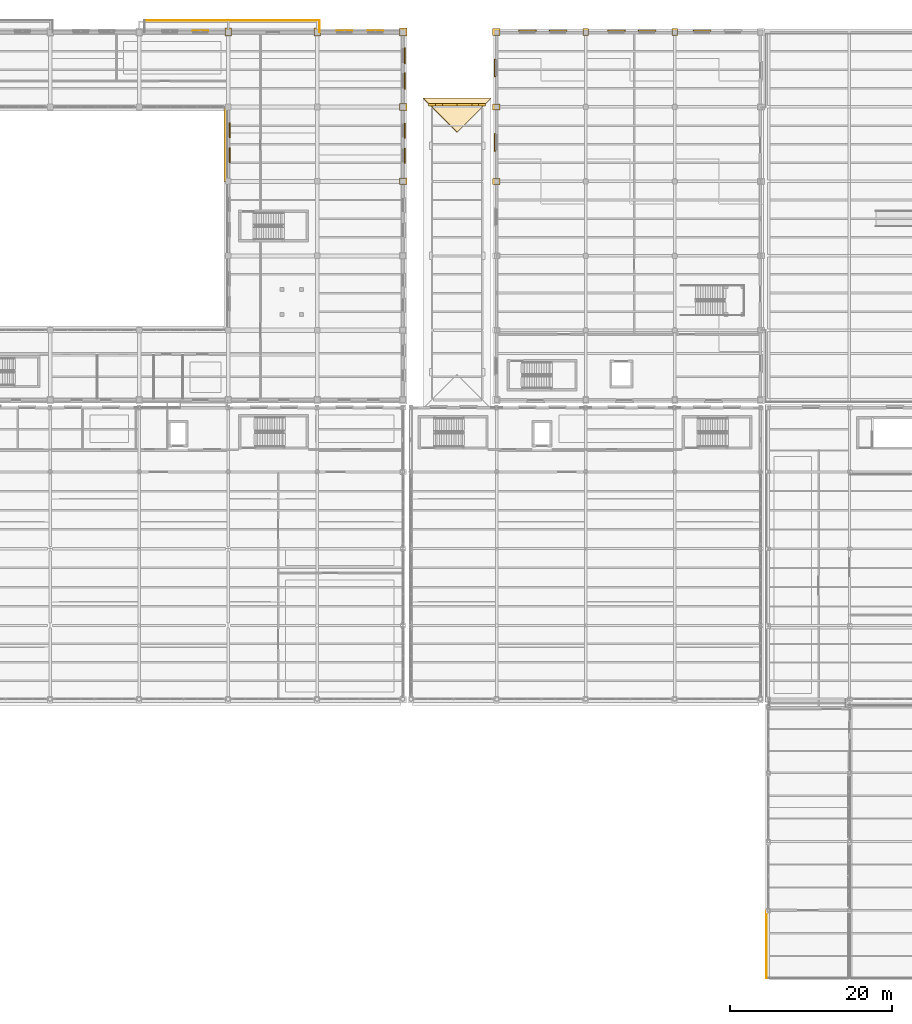
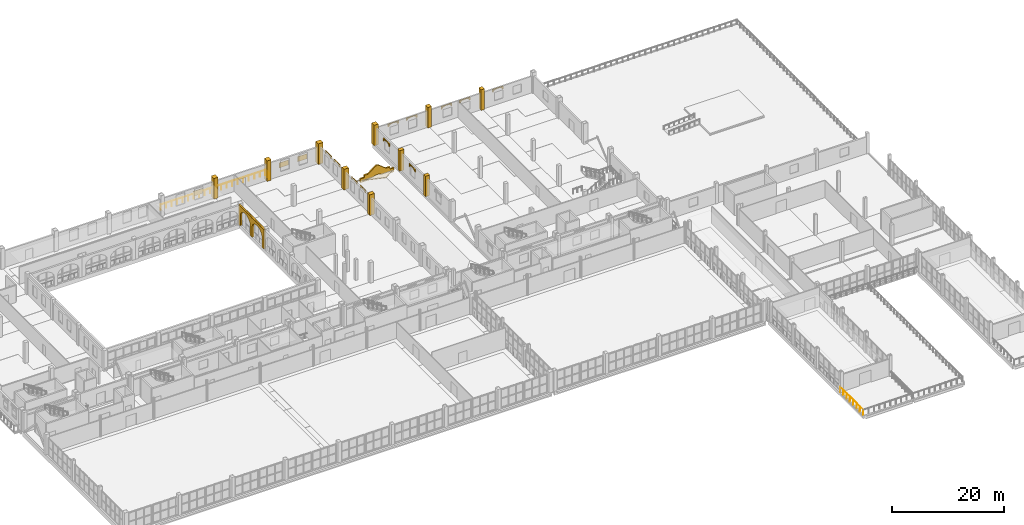
# One storey, part 149 of 156: 26 coverings, 3 railings, 3 shading devices.
"""IFC4 building model written with IfcOpenShell, lengths in metres."""

from ifc_helpers import new_model, si_unit, direction, frame, origin, origin_2d, place, context, subcontext, project, spatial, polyline, rectangle, circle, outline, extrude, material, layer, layer_set, type_object, element, save


model = new_model("IFC4")

# Units and contexts
model_context = context("Model", 3, precision=1e-05, world=origin(), true_north=direction((0.0, 1.0)))
body_context = subcontext(model_context, "Body", "Model", "MODEL_VIEW")
ifc_project = project(units=[si_unit("LENGTHUNIT", "METRE"), si_unit("AREAUNIT", "SQUARE_METRE"), si_unit("VOLUMEUNIT", "CUBIC_METRE"), si_unit("PLANEANGLEUNIT", "RADIAN"), si_unit("MASSUNIT", "GRAM", prefix="KILO")], contexts=[model_context])

# Site, building, storey
site_placement = place(None, origin())
site = spatial("IfcSite", under=ifc_project, at=site_placement, CompositionType="ELEMENT")
building_placement = place(site_placement, origin())
building = spatial("IfcBuilding", under=site, at=building_placement, Name="Caurita Quay Ferry Terminal", CompositionType="ELEMENT")
storey_placement = place(building_placement, frame((0.0, 0.0, 5.39990234375)))
storey = spatial("IfcBuildingStorey", under=building, at=storey_placement, Name="L01", CompositionType="ELEMENT", Elevation=5.39990234375)

# Coverings
ifc_material_1 = material(Name="Warm-white lime stucco masonry", Category="masonry")
ifc_layer_1 = layer(ifc_material_1, 0.360107421875, Name="Spanish Colonial semicircular lime-stucco portales arcade 360 mm")
ifc_layer_set_1 = layer_set([ifc_layer_1], Name="Warm-white lime stucco masonry")
covering_type_1 = type_object("IfcCoveringType", Name="COV-ARC-CLD", PredefinedType="CLADDING", material=ifc_layer_set_1)
covering_1_placement = place(storey_placement, frame((65.679931640625, 107.64990234375, 0.0), z_axis=(0.0, 0.0, 1.0), x_axis=(0.0, -1.0, 0.0)))
element("IfcCovering", 1, at=covering_1_placement, inside=storey, type_object=covering_type_1, Name="L01 Courtyard East Cloister Arcade 066", PredefinedType="CLADDING", context=body_context, shape_type="SweptSolid", body=[
    extrude(outline(polyline([(0.0, 0.0), (0.64990234375, 0.0), (0.64990234375, 2.14990234375), (0.71044921875, 2.55126953125), (0.8876953125, 2.925048828125), (1.169921875, 3.24609375), (1.537353515625, 3.492431640625), (1.965576171875, 3.647216796875), (2.425048828125, 3.699951171875), (2.88427734375, 3.647216796875), (3.3125, 3.492431640625), (3.679931640625, 3.24609375), (3.962158203125, 2.925048828125), (4.139404296875, 2.55126953125), (4.199951171875, 2.14990234375), (4.199951171875, 0.0), (4.849853515625, 0.0), (4.849853515625, 2.14990234375), (4.910400390625, 2.55126953125), (5.087646484375, 2.925048828125), (5.369873046875, 3.24609375), (5.7373046875, 3.492431640625), (6.16552734375, 3.647216796875), (6.624755859375, 3.699951171875), (7.084228515625, 3.647216796875), (7.51220703125, 3.492431640625), (7.8798828125, 3.24609375), (8.162109375, 2.925048828125), (8.33935546875, 2.55126953125), (8.39990234375, 2.14990234375), (8.39990234375, 0.0), (9.0498046875, 0.0), (9.0498046875, 4.300048828125), (0.0, 4.300048828125), (0.0, 0.0)])), frame((0.0, 0.18017578125, 0.0), z_axis=(0.0, -1.0, 0.0), x_axis=(1.0, 0.0, 0.0)), (0.0, 0.0, 1.0), 0.360107421875),
])
ifc_layer_2 = layer(ifc_material_1, 0.280029296875, Name="Shaped Spanish Colonial espadana mission parapet gable 280 mm")
ifc_layer_set_2 = layer_set([ifc_layer_2], Name="Warm-white lime stucco masonry")
covering_type_2 = type_object("IfcCoveringType", Name="COV-ESP-MLD", PredefinedType="MOLDING", material=ifc_layer_set_2)
covering_2_placement = place(storey_placement, frame((97.800048828125, 108.050048828125, -0.0498046875), z_axis=(0.0, 0.0, 1.0), x_axis=(-1.0, 0.0, 0.0)))
element("IfcCovering", 2, at=covering_2_placement, inside=storey, type_object=covering_type_2, Name="Forecourt Portico Espadana Entry Gable 071", PredefinedType="MOLDING", context=body_context, shape_type="SweptSolid", body=[
    extrude(outline(polyline([(0.0, 0.0), (2.550048828125, 0.0), (2.550048828125, 0.199951171875), (2.582275390625, 0.31640625), (2.67724609375, 0.425048828125), (2.828369140625, 0.518310546875), (3.02490234375, 0.589599609375), (3.254150390625, 0.634765625), (3.5, 0.64990234375), (3.745849609375, 0.634765625), (3.97509765625, 0.589599609375), (4.171630859375, 0.518310546875), (4.32275390625, 0.425048828125), (4.417724609375, 0.31640625), (4.449951171875, 0.199951171875), (4.449951171875, 0.0), (7.0, 0.0), (7.0, 0.89990234375), (6.159912109375, 0.89990234375), (6.159912109375, 1.3798828125), (5.320068359375, 1.3798828125), (4.760009765625, 1.81982421875), (4.199951171875, 2.27978515625), (3.780029296875, 2.579833984375), (3.5, 2.679931640625), (3.219970703125, 2.579833984375), (2.800048828125, 2.27978515625), (2.239990234375, 1.81982421875), (1.679931640625, 1.3798828125), (0.840087890625, 1.3798828125), (0.840087890625, 0.89990234375), (0.0, 0.89990234375), (0.0, 0.0)])), frame((0.0, 0.16015625, 0.0), z_axis=(0.0, -1.0, 0.0), x_axis=(1.0, 0.0, 0.0)), (0.0, 0.0, 1.0), 0.320068359375),
])
ifc_layer_3 = layer(ifc_material_1, 0.179931640625, Name="Classical engaged lime-stucco facade pilaster cladding 180 mm")
ifc_layer_set_3 = layer_set([ifc_layer_3], Name="Warm-white lime stucco masonry")
covering_type_3 = type_object("IfcCoveringType", Name="COV-PIL-CLD", PredefinedType="CLADDING", material=ifc_layer_set_3)
for number, where, z_axis, x_axis, name in (
    (3, (99.14990234375, 98.60009765625, 0.0), (0.0, 0.0, 1.0), (1.0, 0.0, 0.0), "L01 Classical Engaged Pilaster 0215"),
    (4, (99.14990234375, 107.800048828125, 0.0), (0.0, 0.0, 1.0), (1.0, 0.0, 0.0), "L01 Classical Engaged Pilaster 0217"),
):
    element("IfcCovering", number, at=place(storey_placement, frame(where, z_axis=z_axis, x_axis=x_axis)), inside=storey, type_object=covering_type_3, Name=name, PredefinedType="CLADDING", context=body_context, shape_type="SweptSolid", body=[
        extrude(rectangle(XDim=0.8798828125, YDim=0.719970703125, at=origin_2d()), origin(), (0.0, 0.0, 1.0), 4.5),
    ])
covering_3_placement = place(storey_placement, frame((99.14990234375, 117.050048828125, 0.0), z_axis=(0.0, 0.0, 1.0), x_axis=(1.0, 0.0, 0.0)))
element("IfcCovering", 5, at=covering_3_placement, inside=storey, type_object=covering_type_3, Name="L01 Classical Engaged Pilaster 0219", PredefinedType="CLADDING", context=body_context, shape_type="SweptSolid", body=[
    extrude(rectangle(XDim=0.8798828125, YDim=0.8798828125, at=origin_2d()), origin(), (0.0, 0.0, 1.0), 4.5),
])
for number, where, z_axis, x_axis, name in (
    (6, (110.199951171875, 117.050048828125, 0.0), (0.0, 0.0, 1.0), (1.0, 0.0, 0.0), "L01 Classical Engaged Pilaster 0223"),
    (7, (121.199951171875, 117.050048828125, 0.0), (0.0, 0.0, 1.0), (1.0, 0.0, 0.0), "L01 Classical Engaged Pilaster 0227"),
):
    element("IfcCovering", number, at=place(storey_placement, frame(where, z_axis=z_axis, x_axis=x_axis)), inside=storey, type_object=covering_type_3, Name=name, PredefinedType="CLADDING", context=body_context, shape_type="SweptSolid", body=[
        extrude(rectangle(XDim=0.719970703125, YDim=0.8798828125, at=origin_2d()), origin(), (0.0, 0.0, 1.0), 4.5),
    ])
for number, where, z_axis, x_axis, name in (
    (8, (66.0, 117.050048828125, 0.0), (0.0, 0.0, 1.0), (1.0, 0.0, 0.0), "L01 Classical Engaged Pilaster 0381"),
    (9, (77.0, 117.050048828125, 0.0), (0.0, 0.0, 1.0), (1.0, 0.0, 0.0), "L01 Classical Engaged Pilaster 0392"),
):
    element("IfcCovering", number, at=place(storey_placement, frame(where, z_axis=z_axis, x_axis=x_axis)), inside=storey, type_object=covering_type_3, Name=name, PredefinedType="CLADDING", context=body_context, shape_type="SweptSolid", body=[
        extrude(rectangle(XDim=0.820068359375, YDim=0.97998046875, at=origin_2d()), origin(), (0.0, 0.0, 1.0), 4.5),
    ])
for number, where, z_axis, x_axis, name in (
    (10, (87.64990234375, 98.60009765625, 0.0), (0.0, 0.0, 1.0), (1.0, 0.0, 0.0), "L01 Classical Engaged Pilaster 0401"),
    (11, (87.64990234375, 107.800048828125, 0.0), (0.0, 0.0, 1.0), (1.0, 0.0, 0.0), "L01 Classical Engaged Pilaster 0403"),
):
    element("IfcCovering", number, at=place(storey_placement, frame(where, z_axis=z_axis, x_axis=x_axis)), inside=storey, type_object=covering_type_3, Name=name, PredefinedType="CLADDING", context=body_context, shape_type="SweptSolid", body=[
        extrude(rectangle(XDim=0.97998046875, YDim=0.820068359375, at=origin_2d()), origin(), (0.0, 0.0, 1.0), 4.5),
    ])
covering_4_placement = place(storey_placement, frame((87.64990234375, 117.050048828125, 0.0), z_axis=(0.0, 0.0, 1.0), x_axis=(1.0, 0.0, 0.0)))
element("IfcCovering", 12, at=covering_4_placement, inside=storey, type_object=covering_type_3, Name="L01 Classical Engaged Pilaster 0405", PredefinedType="CLADDING", context=body_context, shape_type="SweptSolid", body=[
    extrude(rectangle(XDim=0.97998046875, YDim=0.97998046875, at=origin_2d()), origin(), (0.0, 0.0, 1.0), 4.5),
])
ifc_material_2 = material(Name="Terracotta clay barrel tile", Category="masonry")
ifc_layer_4 = layer(ifc_material_2, 0.06494140625, Name="Terracotta clay barrel-tile roofing course")
ifc_layer_set_4 = layer_set([ifc_layer_4], Name="Terracotta clay barrel tile")
covering_type_4 = type_object("IfcCoveringType", Name="COV-TEJA-ROOF", PredefinedType="ROOFING", material=ifc_layer_set_4)
covering_5_placement = place(storey_placement, frame((98.5, 108.89990234375, -0.139892578125), z_axis=(0.0, 0.417540247903, 0.908658429434), x_axis=(-1.0, 0.0, 0.0)))
element("IfcCovering", 13, at=covering_5_placement, inside=storey, type_object=covering_type_4, Name="Terracotta Roof Timber Decking PORTICO-N", PredefinedType="ROOFING", context=body_context, shape_type="SweptSolid", body=[
    extrude(outline(polyline([(0.0, 0.0), (8.39990234375, 0.0), (4.199951171875, 4.622145171196994), (0.0, 0.0)])), origin(), (0.0, 0.0, -1.0), 0.054931640625),
])
ifc_material_3 = material(Name="Coral stone ashlar cladding", Category="masonry")
ifc_layer_5 = layer(ifc_material_3, 0.139892578125, Name="Spanish Colonial semicircular arched window surround 140 mm")
ifc_layer_set_5 = layer_set([ifc_layer_5], Name="Coral stone ashlar cladding")
covering_type_5 = type_object("IfcCoveringType", Name="COV-WHD-MLD", PredefinedType="MOLDING", material=ifc_layer_set_5)
covering_6_placement = place(storey_placement, frame((87.81494140625, 100.820068359375, 3.18017578125), z_axis=(0.0, 0.0, 1.0), x_axis=(0.0, 1.0, 0.0)))
element("IfcCovering", 14, at=covering_6_placement, inside=storey, type_object=covering_type_5, Name="L01 Arched Window Surround 087", PredefinedType="MOLDING", context=body_context, shape_type="SweptSolid", body=[
    extrude(outline(polyline([(0.0, 0.0), (0.159912109375, 0.0), (0.159912109375, 0.0400390625), (0.19775390625, 0.1513671875), (0.30712890625, 0.251708984375), (0.477294921875, 0.331298828125), (0.69189453125, 0.38232421875), (0.929931640625, 0.39990234375), (1.16796875, 0.38232421875), (1.382568359375, 0.331298828125), (1.552734375, 0.251708984375), (1.662109375, 0.1513671875), (1.699951171875, 0.0400390625), (1.699951171875, 0.0), (1.85986328125, 0.0), (1.85986328125, 0.47998046875), (0.0, 0.47998046875), (0.0, 0.0)])), frame((0.0, 0.06982421875, 0.0), z_axis=(0.0, -1.0, 0.0), x_axis=(1.0, 0.0, 0.0)), (0.0, 0.0, 1.0), 0.139892578125),
])
covering_7_placement = place(storey_placement, frame((87.81494140625, 103.919921875, 3.18017578125), z_axis=(0.0, 0.0, 1.0), x_axis=(0.0, 1.0, 0.0)))
element("IfcCovering", 15, at=covering_7_placement, inside=storey, type_object=covering_type_5, Name="L01 Arched Window Surround 088", PredefinedType="MOLDING", context=body_context, shape_type="SweptSolid", body=[
    extrude(outline(polyline([(0.0, 0.0), (0.159912109375, 0.0), (0.159912109375, 0.0400390625), (0.19775390625, 0.1513671875), (0.30712890625, 0.251708984375), (0.4775390625, 0.331298828125), (0.692138671875, 0.38232421875), (0.929931640625, 0.39990234375), (1.16796875, 0.38232421875), (1.382568359375, 0.331298828125), (1.552978515625, 0.251708984375), (1.662353515625, 0.1513671875), (1.7001953125, 0.0400390625), (1.7001953125, 0.0), (1.860107421875, 0.0), (1.860107421875, 0.47998046875), (0.0, 0.47998046875), (0.0, 0.0)])), frame((0.0, 0.06982421875, 0.0), z_axis=(0.0, -1.0, 0.0), x_axis=(1.0, 0.0, 0.0)), (0.0, 0.0, 1.0), 0.139892578125),
])
covering_8_placement = place(storey_placement, frame((87.81494140625, 110.02001953125, 3.18017578125), z_axis=(0.0, 0.0, 1.0), x_axis=(0.0, 1.0, 0.0)))
element("IfcCovering", 16, at=covering_8_placement, inside=storey, type_object=covering_type_5, Name="L01 Arched Window Surround 089", PredefinedType="MOLDING", context=body_context, shape_type="SweptSolid", body=[
    extrude(outline(polyline([(0.0, 0.0), (0.159912109375, 0.0), (0.159912109375, 0.0400390625), (0.201416015625, 0.166015625), (0.3212890625, 0.27978515625), (0.50830078125, 0.3701171875), (0.743896484375, 0.427978515625), (1.0048828125, 0.447998046875), (1.26611328125, 0.427978515625), (1.501708984375, 0.3701171875), (1.688720703125, 0.27978515625), (1.80859375, 0.166015625), (1.85009765625, 0.0400390625), (1.85009765625, 0.0), (2.010009765625, 0.0), (2.010009765625, 0.52783203125), (0.0, 0.52783203125), (0.0, 0.0)])), frame((0.0, 0.06982421875, 0.0), z_axis=(0.0, -1.0, 0.0), x_axis=(1.0, 0.0, 0.0)), (0.0, 0.0, 1.0), 0.139892578125),
])
covering_9_placement = place(storey_placement, frame((87.81494140625, 113.1201171875, 3.18017578125), z_axis=(0.0, 0.0, 1.0), x_axis=(0.0, 1.0, 0.0)))
element("IfcCovering", 17, at=covering_9_placement, inside=storey, type_object=covering_type_5, Name="L01 Arched Window Surround 090", PredefinedType="MOLDING", context=body_context, shape_type="SweptSolid", body=[
    extrude(outline(polyline([(0.0, 0.0), (0.159912109375, 0.0), (0.159912109375, 0.0400390625), (0.201416015625, 0.166015625), (0.3212890625, 0.27978515625), (0.50830078125, 0.3701171875), (0.743896484375, 0.427978515625), (1.0048828125, 0.447998046875), (1.265869140625, 0.427978515625), (1.50146484375, 0.3701171875), (1.6884765625, 0.27978515625), (1.808349609375, 0.166015625), (1.849853515625, 0.0400390625), (1.849853515625, 0.0), (2.009765625, 0.0), (2.009765625, 0.52783203125), (0.0, 0.52783203125), (0.0, 0.0)])), frame((0.0, 0.06982421875, 0.0), z_axis=(0.0, -1.0, 0.0), x_axis=(1.0, 0.0, 0.0)), (0.0, 0.0, 1.0), 0.139892578125),
])
covering_10_placement = place(storey_placement, frame((66.215087890625, 100.919921875, 3.18017578125), z_axis=(0.0, 0.0, 1.0), x_axis=(0.0, 1.0, 0.0)))
element("IfcCovering", 18, at=covering_10_placement, inside=storey, type_object=covering_type_5, Name="L01 Arched Window Surround 115", PredefinedType="MOLDING", context=body_context, shape_type="SweptSolid", body=[
    extrude(outline(polyline([(0.0, 0.0), (0.159912109375, 0.0), (0.159912109375, 0.0400390625), (0.19775390625, 0.1513671875), (0.30712890625, 0.251708984375), (0.4775390625, 0.331298828125), (0.692138671875, 0.38232421875), (0.929931640625, 0.39990234375), (1.16796875, 0.38232421875), (1.382568359375, 0.331298828125), (1.552978515625, 0.251708984375), (1.662353515625, 0.1513671875), (1.7001953125, 0.0400390625), (1.7001953125, 0.0), (1.860107421875, 0.0), (1.860107421875, 0.47998046875), (0.0, 0.47998046875), (0.0, 0.0)])), frame((0.0, 0.06982421875, 0.0), z_axis=(0.0, -1.0, 0.0), x_axis=(1.0, 0.0, 0.0)), (0.0, 0.0, 1.0), 0.139892578125),
])
covering_11_placement = place(storey_placement, frame((66.215087890625, 104.02001953125, 3.18017578125), z_axis=(0.0, 0.0, 1.0), x_axis=(0.0, 1.0, 0.0)))
element("IfcCovering", 19, at=covering_11_placement, inside=storey, type_object=covering_type_5, Name="L01 Arched Window Surround 116", PredefinedType="MOLDING", context=body_context, shape_type="SweptSolid", body=[
    extrude(outline(polyline([(0.0, 0.0), (0.159912109375, 0.0), (0.159912109375, 0.0400390625), (0.19775390625, 0.1513671875), (0.30712890625, 0.251708984375), (0.477294921875, 0.331298828125), (0.69189453125, 0.38232421875), (0.929931640625, 0.39990234375), (1.16796875, 0.38232421875), (1.382568359375, 0.331298828125), (1.552734375, 0.251708984375), (1.662109375, 0.1513671875), (1.699951171875, 0.0400390625), (1.699951171875, 0.0), (1.85986328125, 0.0), (1.85986328125, 0.47998046875), (0.0, 0.47998046875), (0.0, 0.0)])), frame((0.0, 0.06982421875, 0.0), z_axis=(0.0, -1.0, 0.0), x_axis=(1.0, 0.0, 0.0)), (0.0, 0.0, 1.0), 0.139892578125),
])
covering_12_placement = place(storey_placement, frame((107.8798828125, 117.215087890625, 2.72998046875), z_axis=(0.0, 0.0, 1.0), x_axis=(-1.0, 0.0, 0.0)))
element("IfcCovering", 20, at=covering_12_placement, inside=storey, type_object=covering_type_5, Name="L01 Arched Window Surround 189", PredefinedType="MOLDING", context=body_context, shape_type="SweptSolid", body=[
    extrude(outline(polyline([(0.0, 0.0), (0.159912109375, 0.0), (0.159912109375, 0.0400390625), (0.205078125, 0.1728515625), (0.335693359375, 0.292724609375), (0.539306640625, 0.387939453125), (0.795654296875, 0.448974609375), (1.080078125, 0.469970703125), (1.3642578125, 0.448974609375), (1.62060546875, 0.387939453125), (1.82421875, 0.292724609375), (1.954833984375, 0.1728515625), (2.0, 0.0400390625), (2.0, 0.0), (2.159912109375, 0.0), (2.159912109375, 0.550048828125), (0.0, 0.550048828125), (0.0, 0.0)])), frame((0.0, 0.06982421875, 0.0), z_axis=(0.0, -1.0, 0.0), x_axis=(1.0, 0.0, 0.0)), (0.0, 0.0, 1.0), 0.139892578125),
])
covering_13_placement = place(storey_placement, frame((104.080078125, 117.215087890625, 2.72998046875), z_axis=(0.0, 0.0, 1.0), x_axis=(-1.0, 0.0, 0.0)))
element("IfcCovering", 21, at=covering_13_placement, inside=storey, type_object=covering_type_5, Name="L01 Arched Window Surround 190", PredefinedType="MOLDING", context=body_context, shape_type="SweptSolid", body=[
    extrude(outline(polyline([(0.0, 0.0), (0.159912109375, 0.0), (0.159912109375, 0.0400390625), (0.205078125, 0.1728515625), (0.335693359375, 0.292724609375), (0.539306640625, 0.387939453125), (0.795654296875, 0.448974609375), (1.080078125, 0.469970703125), (1.364501953125, 0.448974609375), (1.620849609375, 0.387939453125), (1.824462890625, 0.292724609375), (1.955078125, 0.1728515625), (2.000244140625, 0.0400390625), (2.000244140625, 0.0), (2.16015625, 0.0), (2.16015625, 0.550048828125), (0.0, 0.550048828125), (0.0, 0.0)])), frame((0.0, 0.06982421875, 0.0), z_axis=(0.0, -1.0, 0.0), x_axis=(1.0, 0.0, 0.0)), (0.0, 0.0, 1.0), 0.139892578125),
])
covering_14_placement = place(storey_placement, frame((118.8798828125, 117.215087890625, 2.72998046875), z_axis=(0.0, 0.0, 1.0), x_axis=(-1.0, 0.0, 0.0)))
element("IfcCovering", 22, at=covering_14_placement, inside=storey, type_object=covering_type_5, Name="L01 Arched Window Surround 192", PredefinedType="MOLDING", context=body_context, shape_type="SweptSolid", body=[
    extrude(outline(polyline([(0.0, 0.0), (0.159912109375, 0.0), (0.159912109375, 0.0400390625), (0.205078125, 0.1728515625), (0.335693359375, 0.292724609375), (0.539306640625, 0.387939453125), (0.795654296875, 0.448974609375), (1.080078125, 0.469970703125), (1.3642578125, 0.448974609375), (1.62060546875, 0.387939453125), (1.82421875, 0.292724609375), (1.954833984375, 0.1728515625), (2.0, 0.0400390625), (2.0, 0.0), (2.159912109375, 0.0), (2.159912109375, 0.550048828125), (0.0, 0.550048828125), (0.0, 0.0)])), frame((0.0, 0.06982421875, 0.0), z_axis=(0.0, -1.0, 0.0), x_axis=(1.0, 0.0, 0.0)), (0.0, 0.0, 1.0), 0.139892578125),
])
covering_15_placement = place(storey_placement, frame((115.080078125, 117.215087890625, 2.72998046875), z_axis=(0.0, 0.0, 1.0), x_axis=(-1.0, 0.0, 0.0)))
element("IfcCovering", 23, at=covering_15_placement, inside=storey, type_object=covering_type_5, Name="L01 Arched Window Surround 193", PredefinedType="MOLDING", context=body_context, shape_type="SweptSolid", body=[
    extrude(outline(polyline([(0.0, 0.0), (0.159912109375, 0.0), (0.159912109375, 0.0400390625), (0.205078125, 0.1728515625), (0.335693359375, 0.292724609375), (0.539306640625, 0.387939453125), (0.795654296875, 0.448974609375), (1.080078125, 0.469970703125), (1.364501953125, 0.448974609375), (1.620849609375, 0.387939453125), (1.824462890625, 0.292724609375), (1.955078125, 0.1728515625), (2.000244140625, 0.0400390625), (2.000244140625, 0.0), (2.16015625, 0.0), (2.16015625, 0.550048828125), (0.0, 0.550048828125), (0.0, 0.0)])), frame((0.0, 0.06982421875, 0.0), z_axis=(0.0, -1.0, 0.0), x_axis=(1.0, 0.0, 0.0)), (0.0, 0.0, 1.0), 0.139892578125),
])
for number, where, z_axis, x_axis, name in (
    (24, (125.679931640625, 117.215087890625, 2.72998046875), (0.0, 0.0, 1.0), (-1.0, 0.0, 0.0), "L01 Arched Window Surround 196"),
    (25, (98.985107421875, 104.47998046875, 2.880126953125), (0.0, 0.0, 1.0), (0.0, -1.0, 0.0), "L01 Arched Window Surround 208"),
    (26, (98.985107421875, 113.679931640625, 2.880126953125), (0.0, 0.0, 1.0), (0.0, -1.0, 0.0), "L01 Arched Window Surround 209"),
):
    element("IfcCovering", number, at=place(storey_placement, frame(where, z_axis=z_axis, x_axis=x_axis)), inside=storey, type_object=covering_type_5, Name=name, PredefinedType="MOLDING", context=body_context, shape_type="SweptSolid", body=[
        extrude(outline(polyline([(0.0, 0.0), (0.159912109375, 0.0), (0.159912109375, 0.0400390625), (0.205078125, 0.1728515625), (0.335693359375, 0.292724609375), (0.539306640625, 0.387939453125), (0.795654296875, 0.448974609375), (1.080078125, 0.469970703125), (1.3642578125, 0.448974609375), (1.62060546875, 0.387939453125), (1.82421875, 0.292724609375), (1.954833984375, 0.1728515625), (2.0, 0.0400390625), (2.0, 0.0), (2.159912109375, 0.0), (2.159912109375, 0.550048828125), (0.0, 0.550048828125), (0.0, 0.0)])), frame((0.0, 0.06982421875, 0.0), z_axis=(0.0, -1.0, 0.0), x_axis=(1.0, 0.0, 0.0)), (0.0, 0.0, 1.0), 0.139892578125),
    ])

# Railings
ifc_material_4 = material(Name="Bronze architectural metalwork", Category="metal")
railing_type = type_object("IfcRailingType", Name="RL-REJA-115", PredefinedType="BALUSTRADE", material=ifc_material_4)
railing_1_placement = place(storey_placement, frame((132.550048828125, 8.449951171875, 0.0)))
element("IfcRailing", 27, at=railing_1_placement, inside=storey, type_object=railing_type, Name="Berth 1 Observation Deck Balustrade (022)", PredefinedType="BALUSTRADE", context=body_context, shape_type="SweptSolid", body=[
    extrude(circle(Radius=0.02392578125, at=origin_2d()), frame((0.0, 0.0, 1.1259765625), z_axis=(0.0, -1.0, 0.0), x_axis=(1.0, 0.0, 0.0)), (0.0, 0.0, 1.0), 8.300048828125),
    extrude(circle(Radius=0.02099609375, at=origin_2d()), origin(), (0.0, 0.0, 1.0), 1.101806640625),
    extrude(circle(Radius=0.02099609375, at=origin_2d()), frame((0.0, -1.185791015625, 0.0)), (0.0, 0.0, 1.0), 1.101806640625),
    extrude(circle(Radius=0.02099609375, at=origin_2d()), frame((0.0, -2.371337890625, 0.0)), (0.0, 0.0, 1.0), 1.101806640625),
    extrude(circle(Radius=0.02099609375, at=origin_2d()), frame((0.0, -3.55712890625, 0.0)), (0.0, 0.0, 1.0), 1.101806640625),
    extrude(circle(Radius=0.02099609375, at=origin_2d()), frame((0.0, -4.742919921875, 0.0)), (0.0, 0.0, 1.0), 1.101806640625),
    extrude(circle(Radius=0.02099609375, at=origin_2d()), frame((0.0, -5.9287109375, 0.0)), (0.0, 0.0, 1.0), 1.101806640625),
    extrude(circle(Radius=0.02099609375, at=origin_2d()), frame((0.0, -7.1142578125, 0.0)), (0.0, 0.0, 1.0), 1.101806640625),
    extrude(circle(Radius=0.02099609375, at=origin_2d()), frame((0.0, -8.300048828125, 0.0)), (0.0, 0.0, 1.0), 1.101806640625),
])
railing_2_placement = place(storey_placement, frame((55.679931640625, 118.47998046875, 0.0)))
element("IfcRailing", 28, at=railing_2_placement, inside=storey, type_object=railing_type, Name="L01 North Street East Portales Balcony Balustrade (117)", PredefinedType="BALUSTRADE", context=body_context, shape_type="SweptSolid", body=[
    extrude(circle(Radius=0.02392578125, at=origin_2d()), frame((0.0, 0.0, 1.1259765625), z_axis=(1.0, 0.0, 0.0), x_axis=(0.0, 1.0, 0.0)), (0.0, 0.0, 1.0), 21.64013671875),
    extrude(circle(Radius=0.02099609375, at=origin_2d()), origin(), (0.0, 0.0, 1.0), 1.101806640625),
    extrude(circle(Radius=0.02099609375, at=origin_2d()), frame((1.138916015625, 0.0, 0.0)), (0.0, 0.0, 1.0), 1.101806640625),
    extrude(circle(Radius=0.02099609375, at=origin_2d()), frame((2.27783203125, 0.0, 0.0)), (0.0, 0.0, 1.0), 1.101806640625),
    extrude(circle(Radius=0.02099609375, at=origin_2d()), frame((3.416748046875, 0.0, 0.0)), (0.0, 0.0, 1.0), 1.101806640625),
    extrude(circle(Radius=0.02099609375, at=origin_2d()), frame((4.555908203125, 0.0, 0.0)), (0.0, 0.0, 1.0), 1.101806640625),
    extrude(circle(Radius=0.02099609375, at=origin_2d()), frame((5.69482421875, 0.0, 0.0)), (0.0, 0.0, 1.0), 1.101806640625),
    extrude(circle(Radius=0.02099609375, at=origin_2d()), frame((6.833740234375, 0.0, 0.0)), (0.0, 0.0, 1.0), 1.101806640625),
    extrude(circle(Radius=0.02099609375, at=origin_2d()), frame((7.97265625, 0.0, 0.0)), (0.0, 0.0, 1.0), 1.101806640625),
    extrude(circle(Radius=0.02099609375, at=origin_2d()), frame((9.111572265625, 0.0, 0.0)), (0.0, 0.0, 1.0), 1.101806640625),
    extrude(circle(Radius=0.02099609375, at=origin_2d()), frame((10.25048828125, 0.0, 0.0)), (0.0, 0.0, 1.0), 1.101806640625),
    extrude(circle(Radius=0.02099609375, at=origin_2d()), frame((11.3896484375, 0.0, 0.0)), (0.0, 0.0, 1.0), 1.101806640625),
    extrude(circle(Radius=0.02099609375, at=origin_2d()), frame((12.528564453125, 0.0, 0.0)), (0.0, 0.0, 1.0), 1.101806640625),
    extrude(circle(Radius=0.02099609375, at=origin_2d()), frame((13.66748046875, 0.0, 0.0)), (0.0, 0.0, 1.0), 1.101806640625),
    extrude(circle(Radius=0.02099609375, at=origin_2d()), frame((14.806396484375, 0.0, 0.0)), (0.0, 0.0, 1.0), 1.101806640625),
    extrude(circle(Radius=0.02099609375, at=origin_2d()), frame((15.9453125, 0.0, 0.0)), (0.0, 0.0, 1.0), 1.101806640625),
    extrude(circle(Radius=0.02099609375, at=origin_2d()), frame((17.084228515625, 0.0, 0.0)), (0.0, 0.0, 1.0), 1.101806640625),
    extrude(circle(Radius=0.02099609375, at=origin_2d()), frame((18.223388671875, 0.0, 0.0)), (0.0, 0.0, 1.0), 1.101806640625),
    extrude(circle(Radius=0.02099609375, at=origin_2d()), frame((19.3623046875, 0.0, 0.0)), (0.0, 0.0, 1.0), 1.101806640625),
    extrude(circle(Radius=0.02099609375, at=origin_2d()), frame((20.501220703125, 0.0, 0.0)), (0.0, 0.0, 1.0), 1.101806640625),
    extrude(circle(Radius=0.02099609375, at=origin_2d()), frame((21.64013671875, 0.0, 0.0)), (0.0, 0.0, 1.0), 1.101806640625),
])
railing_3_placement = place(storey_placement, frame((77.320068359375, 118.47998046875, 0.0)))
element("IfcRailing", 29, at=railing_3_placement, inside=storey, type_object=railing_type, Name="L01 North Street East Portales Balcony Balustrade (118)", PredefinedType="BALUSTRADE", context=body_context, shape_type="SweptSolid", body=[
    extrude(circle(Radius=0.02392578125, at=origin_2d()), frame((0.0, 0.0, 1.1259765625), z_axis=(0.0, -1.0, 0.0), x_axis=(1.0, 0.0, 0.0)), (0.0, 0.0, 1.0), 1.429931640625),
    extrude(circle(Radius=0.02099609375, at=origin_2d()), origin(), (0.0, 0.0, 1.0), 1.101806640625),
    extrude(circle(Radius=0.02099609375, at=origin_2d()), frame((0.0, -0.71484375, 0.0)), (0.0, 0.0, 1.0), 1.101806640625),
    extrude(circle(Radius=0.02099609375, at=origin_2d()), frame((0.0, -1.429931640625, 0.0)), (0.0, 0.0, 1.0), 1.101806640625),
])

# Shading devices
shading_device_type_1 = type_object("IfcShadingDeviceType", Name="SHD-JAL-01", PredefinedType="JALOUSIE", material=ifc_material_4)
for number, where, z_axis, x_axis, name in (
    (30, (62.60009765625, 117.2080078125, 1.610107421875), (0.0, 0.0, 1.0), (-1.0, 0.0, 0.0), "L01 Tropical Window Sun-Breaker 009"),
    (31, (84.199951171875, 117.2080078125, 1.610107421875), (0.0, 0.0, 1.0), (-1.0, 0.0, 0.0), "L01 Tropical Window Sun-Breaker 011"),
):
    element("IfcShadingDevice", number, at=place(storey_placement, frame(where, z_axis=z_axis, x_axis=x_axis)), inside=storey, type_object=shading_device_type_1, Name=name, PredefinedType="JALOUSIE", context=body_context, shape_type="SweptSolid", body=[
        extrude(rectangle(XDim=1.89990234375, YDim=0.080078125, at=origin_2d()), origin(), (0.0, 0.0, 1.0), 1.080078125),
    ])
ifc_material_5 = material(Name="Tropical mahogany hardwood", Category="wood")
shading_device_type_2 = type_object("IfcShadingDeviceType", Name="SHD-SHT-01", PredefinedType="SHUTTER", material=ifc_material_5)
shading_device_placement = place(storey_placement, frame((80.39990234375, 117.197998046875, 1.610107421875), z_axis=(0.0, 0.0, 1.0), x_axis=(-1.0, 0.0, 0.0)))
element("IfcShadingDevice", 32, at=shading_device_placement, inside=storey, type_object=shading_device_type_2, Name="L01 Tropical Window Sun-Breaker 012", PredefinedType="SHUTTER", context=body_context, shape_type="SweptSolid", body=[
    extrude(rectangle(XDim=1.89990234375, YDim=0.06005859375, at=origin_2d()), origin(), (0.0, 0.0, 1.0), 1.080078125),
])

save(model, "model.ifc")
